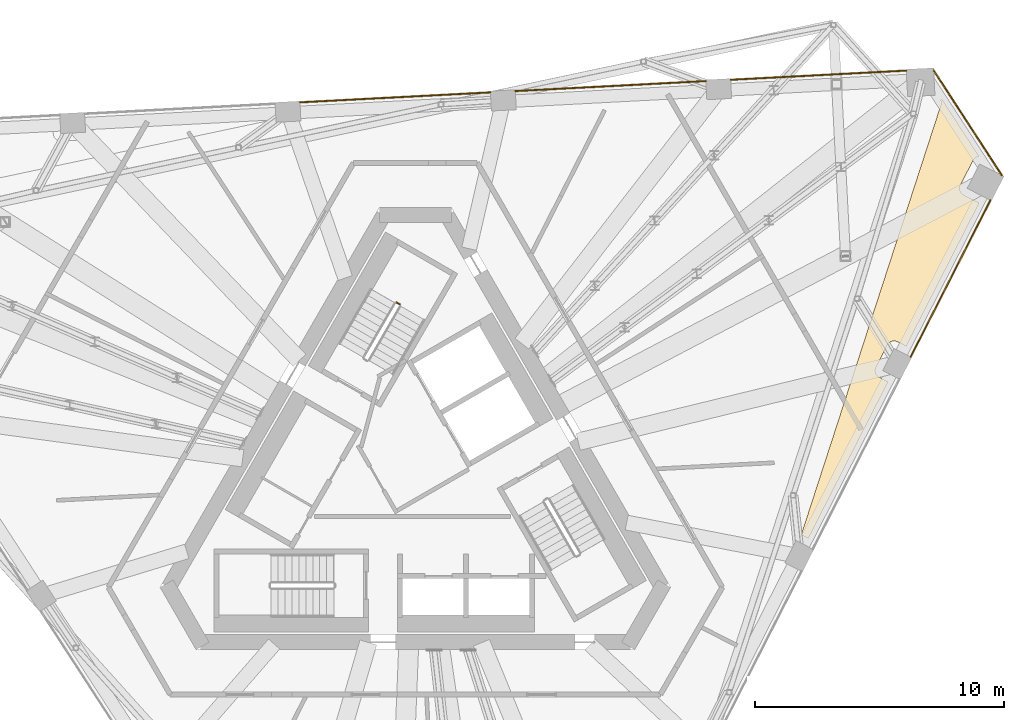
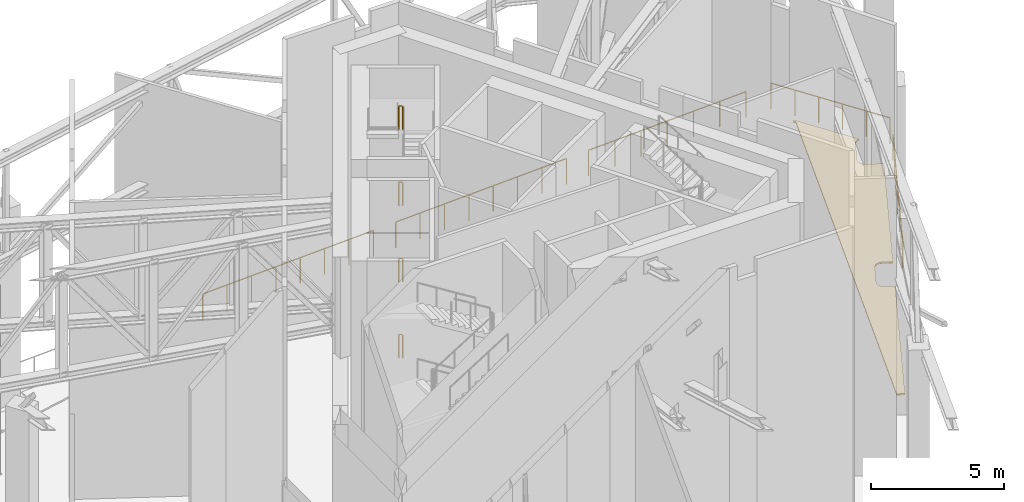
# One storey, part 23 of 23: 9 railings, 2 coverings.
"""IFC4 building model written with IfcOpenShell, lengths in metres."""

from ifc_helpers import new_model, si_unit, direction, frame, origin, origin_2d, place, context, subcontext, project, spatial, polyline, circle, outline, extrude, material, layer, layer_set, type_object, element, save


model = new_model("IFC4")

# Units and contexts
model_context = context("Model", 3, precision=1e-05, world=origin(), true_north=direction((0.0, 1.0)))
body_context = subcontext(model_context, "Body", "Model", "MODEL_VIEW")
ifc_project = project(units=[si_unit("LENGTHUNIT", "METRE"), si_unit("AREAUNIT", "SQUARE_METRE"), si_unit("VOLUMEUNIT", "CUBIC_METRE"), si_unit("PLANEANGLEUNIT", "RADIAN"), si_unit("MASSUNIT", "GRAM", prefix="KILO")], contexts=[model_context])

# Site, building, storey
site_placement = place(None, origin())
site = spatial("IfcSite", under=ifc_project, at=site_placement, CompositionType="ELEMENT")
building_placement = place(site_placement, origin())
building = spatial("IfcBuilding", under=site, at=building_placement, Name="Tramontana Tower", CompositionType="ELEMENT")
storey_placement = place(building_placement, frame((0.0, 0.0, 306.39990234375)))
storey = spatial("IfcBuildingStorey", under=building, at=storey_placement, Name="L72", CompositionType="ELEMENT", Elevation=306.39990234375)

# Railings
ifc_material_1 = material(Name="Stainless steel rail and posts", Category="steel")
railing_type_1 = type_object("IfcRailingType", Name="GD4 Portal band guard 1200", PredefinedType="GUARDRAIL", material=ifc_material_1)
railing_1_placement = place(storey_placement, frame((3.016357421875, 15.62939453125, 0.0)))
element("IfcRailing", 1, at=railing_1_placement, inside=storey, type_object=railing_type_1, Name="Edge guard L72 9", PredefinedType="GUARDRAIL", context=body_context, shape_type="SweptSolid", body=[
    extrude(circle(Radius=0.02392578125, at=origin_2d()), frame((0.0, 0.0, 1.17578125), z_axis=(-0.998628110819, -0.052363119489, 0.0), x_axis=(0.052363119489, -0.998628110819, 0.0)), (0.0, 0.0, 1.0), 7.660400390625),
    extrude(circle(Radius=0.02099609375, at=origin_2d()), origin(), (0.0, 0.0, 1.0), 1.15185546875),
    extrude(circle(Radius=0.02099609375, at=origin_2d()), frame((-1.0927734375, -0.057373046875, 0.0)), (0.0, 0.0, 1.0), 1.15185546875),
    extrude(circle(Radius=0.02099609375, at=origin_2d()), frame((-2.185791015625, -0.114501953125, 0.0)), (0.0, 0.0, 1.0), 1.15185546875),
    extrude(circle(Radius=0.02099609375, at=origin_2d()), frame((-3.278564453125, -0.171875, 0.0)), (0.0, 0.0, 1.0), 1.15185546875),
    extrude(circle(Radius=0.02099609375, at=origin_2d()), frame((-4.371337890625, -0.229248046875, 0.0)), (0.0, 0.0, 1.0), 1.15185546875),
    extrude(circle(Radius=0.02099609375, at=origin_2d()), frame((-5.464111328125, -0.28662109375, 0.0)), (0.0, 0.0, 1.0), 1.15185546875),
    extrude(circle(Radius=0.02099609375, at=origin_2d()), frame((-6.55712890625, -0.34375, 0.0)), (0.0, 0.0, 1.0), 1.15185546875),
    extrude(circle(Radius=0.02099609375, at=origin_2d()), frame((-7.64990234375, -0.401123046875, 0.0)), (0.0, 0.0, 1.0), 1.15185546875),
])
railing_2_placement = place(storey_placement, frame((11.664794921875, 16.08251953125, 0.0)))
element("IfcRailing", 2, at=railing_2_placement, inside=storey, type_object=railing_type_1, Name="Edge guard L72 11", PredefinedType="GUARDRAIL", context=body_context, shape_type="SweptSolid", body=[
    extrude(circle(Radius=0.02392578125, at=origin_2d()), frame((0.0, 0.0, 1.17578125), z_axis=(-0.998629776861, -0.052331336363, 0.0), x_axis=(0.052331336363, -0.998629776861, 0.0)), (0.0, 0.0, 1.0), 7.660400390625),
    extrude(circle(Radius=0.02099609375, at=origin_2d()), origin(), (0.0, 0.0, 1.0), 1.15185546875),
    extrude(circle(Radius=0.02099609375, at=origin_2d()), frame((-1.0927734375, -0.057373046875, 0.0)), (0.0, 0.0, 1.0), 1.15185546875),
    extrude(circle(Radius=0.02099609375, at=origin_2d()), frame((-2.185791015625, -0.114501953125, 0.0)), (0.0, 0.0, 1.0), 1.15185546875),
    extrude(circle(Radius=0.02099609375, at=origin_2d()), frame((-3.278564453125, -0.171875, 0.0)), (0.0, 0.0, 1.0), 1.15185546875),
    extrude(circle(Radius=0.02099609375, at=origin_2d()), frame((-4.371337890625, -0.22900390625, 0.0)), (0.0, 0.0, 1.0), 1.15185546875),
    extrude(circle(Radius=0.02099609375, at=origin_2d()), frame((-5.464111328125, -0.286376953125, 0.0)), (0.0, 0.0, 1.0), 1.15185546875),
    extrude(circle(Radius=0.02099609375, at=origin_2d()), frame((-6.55712890625, -0.343505859375, 0.0)), (0.0, 0.0, 1.0), 1.15185546875),
    extrude(circle(Radius=0.02099609375, at=origin_2d()), frame((-7.64990234375, -0.40087890625, 0.0)), (0.0, 0.0, 1.0), 1.15185546875),
])
railing_3_placement = place(storey_placement, frame((19.7138671875, 16.50439453125, 0.0)))
element("IfcRailing", 3, at=railing_3_placement, inside=storey, type_object=railing_type_1, Name="Edge guard L72 15", PredefinedType="GUARDRAIL", context=body_context, shape_type="SweptSolid", body=[
    extrude(circle(Radius=0.02392578125, at=origin_2d()), frame((0.0, 0.0, 1.17578125), z_axis=(-0.998628602504, -0.052353741618, 0.0), x_axis=(0.052353741618, -0.998628602504, 0.0)), (0.0, 0.0, 1.0), 7.060302734375),
    extrude(circle(Radius=0.02099609375, at=origin_2d()), origin(), (0.0, 0.0, 1.0), 1.15185546875),
    extrude(circle(Radius=0.02099609375, at=origin_2d()), frame((-1.175048828125, -0.0615234375, 0.0)), (0.0, 0.0, 1.0), 1.15185546875),
    extrude(circle(Radius=0.02099609375, at=origin_2d()), frame((-2.35009765625, -0.123291015625, 0.0)), (0.0, 0.0, 1.0), 1.15185546875),
    extrude(circle(Radius=0.02099609375, at=origin_2d()), frame((-3.525390625, -0.184814453125, 0.0)), (0.0, 0.0, 1.0), 1.15185546875),
    extrude(circle(Radius=0.02099609375, at=origin_2d()), frame((-4.700439453125, -0.246337890625, 0.0)), (0.0, 0.0, 1.0), 1.15185546875),
    extrude(circle(Radius=0.02099609375, at=origin_2d()), frame((-5.87548828125, -0.30810546875, 0.0)), (0.0, 0.0, 1.0), 1.15185546875),
    extrude(circle(Radius=0.02099609375, at=origin_2d()), frame((-7.050537109375, -0.36962890625, 0.0)), (0.0, 0.0, 1.0), 1.15185546875),
])
railing_4_placement = place(storey_placement, frame((19.890625, 5.005859375, 0.0)))
element("IfcRailing", 4, at=railing_4_placement, inside=storey, type_object=railing_type_1, Name="Edge guard L72 17", PredefinedType="GUARDRAIL", context=body_context, shape_type="SweptSolid", body=[
    extrude(circle(Radius=0.02392578125, at=origin_2d()), frame((0.0, 0.0, 1.17578125), z_axis=(0.453992084912, 0.891005716501, 0.0), x_axis=(-0.891005716501, 0.453992084912, 0.0)), (0.0, 0.0, 1.0), 7.060302734375),
    extrude(circle(Radius=0.02099609375, at=origin_2d()), origin(), (0.0, 0.0, 1.0), 1.15185546875),
    extrude(circle(Radius=0.02099609375, at=origin_2d()), frame((0.5341796875, 1.04833984375, 0.0)), (0.0, 0.0, 1.0), 1.15185546875),
    extrude(circle(Radius=0.02099609375, at=origin_2d()), frame((1.068359375, 2.096923828125, 0.0)), (0.0, 0.0, 1.0), 1.15185546875),
    extrude(circle(Radius=0.02099609375, at=origin_2d()), frame((1.6025390625, 3.1455078125, 0.0)), (0.0, 0.0, 1.0), 1.15185546875),
    extrude(circle(Radius=0.02099609375, at=origin_2d()), frame((2.136962890625, 4.19384765625, 0.0)), (0.0, 0.0, 1.0), 1.15185546875),
    extrude(circle(Radius=0.02099609375, at=origin_2d()), frame((2.671142578125, 5.2421875, 0.0)), (0.0, 0.0, 1.0), 1.15185546875),
    extrude(circle(Radius=0.02099609375, at=origin_2d()), frame((3.205322265625, 6.290771484375, 0.0)), (0.0, 0.0, 1.0), 1.15185546875),
])
railing_5_placement = place(storey_placement, frame((23.55078125, 12.29931640625, 0.0)))
element("IfcRailing", 5, at=railing_5_placement, inside=storey, type_object=railing_type_1, Name="Edge guard L72 18", PredefinedType="GUARDRAIL", context=body_context, shape_type="SweptSolid", body=[
    extrude(circle(Radius=0.02392578125, at=origin_2d()), frame((0.0, 0.0, 1.17578125), z_axis=(-0.544655170207, 0.838660089409, 0.0), x_axis=(-0.838660089409, -0.544655170207, 0.0)), (0.0, 0.0, 1.0), 5.02294921875),
    extrude(circle(Radius=0.02099609375, at=origin_2d()), origin(), (0.0, 0.0, 1.0), 1.15185546875),
    extrude(circle(Radius=0.02099609375, at=origin_2d()), frame((-0.547119140625, 0.842529296875, 0.0)), (0.0, 0.0, 1.0), 1.15185546875),
    extrude(circle(Radius=0.02099609375, at=origin_2d()), frame((-1.09423828125, 1.68505859375, 0.0)), (0.0, 0.0, 1.0), 1.15185546875),
    extrude(circle(Radius=0.02099609375, at=origin_2d()), frame((-1.6416015625, 2.527587890625, 0.0)), (0.0, 0.0, 1.0), 1.15185546875),
    extrude(circle(Radius=0.02099609375, at=origin_2d()), frame((-2.188720703125, 3.3701171875, 0.0)), (0.0, 0.0, 1.0), 1.15185546875),
    extrude(circle(Radius=0.02099609375, at=origin_2d()), frame((-2.73583984375, 4.212646484375, 0.0)), (0.0, 0.0, 1.0), 1.15185546875),
])

# Covering
ifc_material_2 = material(Name="Limestone paving 60", Category="masonry")
ifc_layer_1 = layer(ifc_material_2, 0.06005859375)
ifc_layer_set_1 = layer_set([ifc_layer_1], Name="PV1 Terrace paving 60")
covering_type_1 = type_object("IfcCoveringType", Name="PV1 Terrace paving 60", PredefinedType="FLOORING", material=ifc_layer_set_1)
covering_1_placement = place(storey_placement, frame((0.0, 0.0, 0.010009765625)))
element("IfcCovering", 6, at=covering_1_placement, inside=storey, type_object=covering_type_1, Name="Terrace paving L72 3", PredefinedType="FLOORING", context=body_context, shape_type="SweptSolid", body=[
    extrude(outline(polyline([(22.644287109375, 13.052734375), (22.62451171875, 13.05126953125), (22.595458984375, 13.04638671875), (22.56689453125, 13.038818359375), (22.53955078125, 13.0283203125), (22.51318359375, 13.01513671875), (22.488037109375, 12.99951171875), (22.46484375, 12.9814453125), (22.443359375, 12.96142578125), (22.424072265625, 12.939208984375), (22.406982421875, 12.9150390625), (22.392333984375, 12.8896484375), (21.89306640625, 11.909423828125), (21.880859375, 11.882568359375), (21.87158203125, 11.854736328125), (21.864990234375, 11.825927734375), (21.861328125, 11.796875), (21.8603515625, 11.767333984375), (21.8623046875, 11.738037109375), (21.8671875, 11.708984375), (21.875, 11.6806640625), (21.885498046875, 11.653076171875), (21.8984375, 11.626708984375), (21.9140625, 11.601806640625), (21.93212890625, 11.578369140625), (21.952392578125, 11.55712890625), (21.974609375, 11.53759765625), (21.99853515625, 11.5205078125), (22.024169921875, 11.506103515625), (22.647705078125, 11.188232421875), (19.71484375, 5.43212890625), (19.3583984375, 5.61376953125), (19.33154296875, 5.625732421875), (19.3037109375, 5.635009765625), (19.275146484375, 5.6416015625), (19.245849609375, 5.6455078125), (19.21630859375, 5.646240234375), (19.18701171875, 5.644287109375), (19.157958984375, 5.639404296875), (19.129638671875, 5.631591796875), (19.10205078125, 5.62109375), (19.07568359375, 5.608154296875), (19.05078125, 5.592529296875), (19.027587890625, 5.574462890625), (19.006103515625, 5.55419921875), (18.98681640625, 5.531982421875), (18.9697265625, 5.508056640625), (18.955078125, 5.482666015625), (18.5009765625, 4.591552734375), (18.489013671875, 4.564697265625), (18.4794921875, 4.536865234375), (18.472900390625, 4.508056640625), (18.46923828125, 4.47900390625), (18.46826171875, 4.449462890625), (18.470458984375, 4.420166015625), (18.475341796875, 4.39111328125), (18.48291015625, 4.362548828125), (18.493408203125, 4.335205078125), (18.506591796875, 4.308837890625), (18.522216796875, 4.283935546875), (18.540283203125, 4.260498046875), (18.560302734375, 4.239013671875), (18.58251953125, 4.2197265625), (18.606689453125, 4.20263671875), (18.632080078125, 4.18798828125), (18.988525390625, 4.00634765625), (15.783203125, -2.2841796875), (15.49755859375, -2.138671875), (21.140380859375, 15.22802734375), (21.07666015625, 15.298828125), (21.09033203125, 15.312744140625), (21.10888671875, 15.33544921875), (21.125244140625, 15.35986328125), (21.134521484375, 15.37744140625), (22.644287109375, 13.052734375)])), origin(), (0.0, 0.0, 1.0), 0.06005859375),
])

# Railings
ifc_material_3 = material(Name="Painted steel", Category="steel")
railing_type_2 = type_object("IfcRailingType", Name="STAIR GUARD 1100", PredefinedType="GUARDRAIL", material=ifc_material_3)
for number, where, name in (
    (7, (-0.625732421875, 7.1162109375, 1.75), "L72 ST1 stair guard 9"),
    (8, (-0.625732421875, 7.1162109375, 5.25), "L72 ST1 stair guard 11"),
    (9, (-0.625732421875, 7.1162109375, 8.75), "L72 ST1 stair guard 13"),
    (10, (-0.625732421875, 7.1162109375, 12.25), "L72 ST1 stair guard 15"),
):
    element("IfcRailing", number, at=place(storey_placement, frame(where)), inside=storey, type_object=railing_type_2, Name=name, PredefinedType="GUARDRAIL", context=body_context, shape_type="SweptSolid", body=[
        extrude(circle(Radius=0.02392578125, at=origin_2d()), frame((0.0, 0.0, 1.076171875), z_axis=(-0.866131372301, 0.499816412211, 0.0), x_axis=(-0.499816412211, -0.866131372301, 0.0)), (0.0, 0.0, 1.0), 0.14990234375),
        extrude(circle(Radius=0.02099609375, at=origin_2d()), origin(), (0.0, 0.0, 1.0), 1.052001953125),
        extrude(circle(Radius=0.02099609375, at=origin_2d()), frame((-0.1298828125, 0.074951171875, 0.0)), (0.0, 0.0, 1.0), 1.052001953125),
    ])

# Covering
ifc_material_4 = material(Name="Bituminous waterproofing membrane")
ifc_layer_2 = layer(ifc_material_4, 0.010009765625)
ifc_layer_set_2 = layer_set([ifc_layer_2], Name="WP1 Terrace waterproofing membrane 10")
covering_type_2 = type_object("IfcCoveringType", Name="WP1 Terrace waterproofing membrane 10", PredefinedType="MEMBRANE", material=ifc_layer_set_2)
covering_2_placement = place(storey_placement, origin())
element("IfcCovering", 11, at=covering_2_placement, inside=storey, type_object=covering_type_2, Name="Terrace membrane L72 3", PredefinedType="MEMBRANE", context=body_context, shape_type="SweptSolid", body=[
    extrude(outline(polyline([(22.644287109375, 13.052734375), (22.62451171875, 13.05126953125), (22.595458984375, 13.04638671875), (22.56689453125, 13.038818359375), (22.53955078125, 13.0283203125), (22.51318359375, 13.01513671875), (22.488037109375, 12.99951171875), (22.46484375, 12.9814453125), (22.443359375, 12.96142578125), (22.424072265625, 12.939208984375), (22.406982421875, 12.9150390625), (22.392333984375, 12.8896484375), (21.89306640625, 11.909423828125), (21.880859375, 11.882568359375), (21.87158203125, 11.854736328125), (21.864990234375, 11.825927734375), (21.861328125, 11.796875), (21.8603515625, 11.767333984375), (21.8623046875, 11.738037109375), (21.8671875, 11.708984375), (21.875, 11.6806640625), (21.885498046875, 11.653076171875), (21.8984375, 11.626708984375), (21.9140625, 11.601806640625), (21.93212890625, 11.578369140625), (21.952392578125, 11.55712890625), (21.974609375, 11.53759765625), (21.99853515625, 11.5205078125), (22.024169921875, 11.506103515625), (22.647705078125, 11.188232421875), (19.71484375, 5.43212890625), (19.3583984375, 5.61376953125), (19.33154296875, 5.625732421875), (19.3037109375, 5.635009765625), (19.275146484375, 5.6416015625), (19.245849609375, 5.6455078125), (19.21630859375, 5.646240234375), (19.18701171875, 5.644287109375), (19.157958984375, 5.639404296875), (19.129638671875, 5.631591796875), (19.10205078125, 5.62109375), (19.07568359375, 5.608154296875), (19.05078125, 5.592529296875), (19.027587890625, 5.574462890625), (19.006103515625, 5.55419921875), (18.98681640625, 5.531982421875), (18.9697265625, 5.508056640625), (18.955078125, 5.482666015625), (18.5009765625, 4.591552734375), (18.489013671875, 4.564697265625), (18.4794921875, 4.536865234375), (18.472900390625, 4.508056640625), (18.46923828125, 4.47900390625), (18.46826171875, 4.449462890625), (18.470458984375, 4.420166015625), (18.475341796875, 4.39111328125), (18.48291015625, 4.362548828125), (18.493408203125, 4.335205078125), (18.506591796875, 4.308837890625), (18.522216796875, 4.283935546875), (18.540283203125, 4.260498046875), (18.560302734375, 4.239013671875), (18.58251953125, 4.2197265625), (18.606689453125, 4.20263671875), (18.632080078125, 4.18798828125), (18.988525390625, 4.00634765625), (15.783203125, -2.2841796875), (15.49755859375, -2.138671875), (21.140380859375, 15.22802734375), (21.07666015625, 15.298828125), (21.09033203125, 15.312744140625), (21.10888671875, 15.33544921875), (21.125244140625, 15.35986328125), (21.134521484375, 15.37744140625), (22.644287109375, 13.052734375)])), origin(), (0.0, 0.0, 1.0), 0.010009765625),
])

save(model, "model.ifc")
